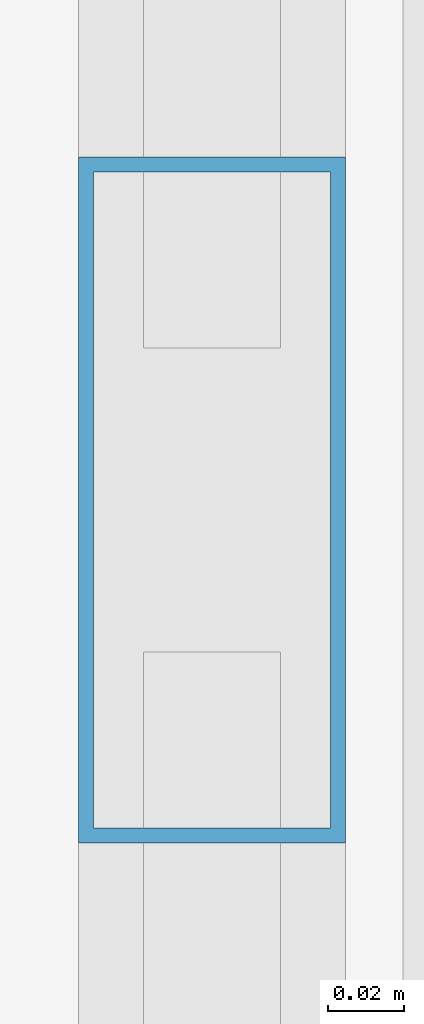
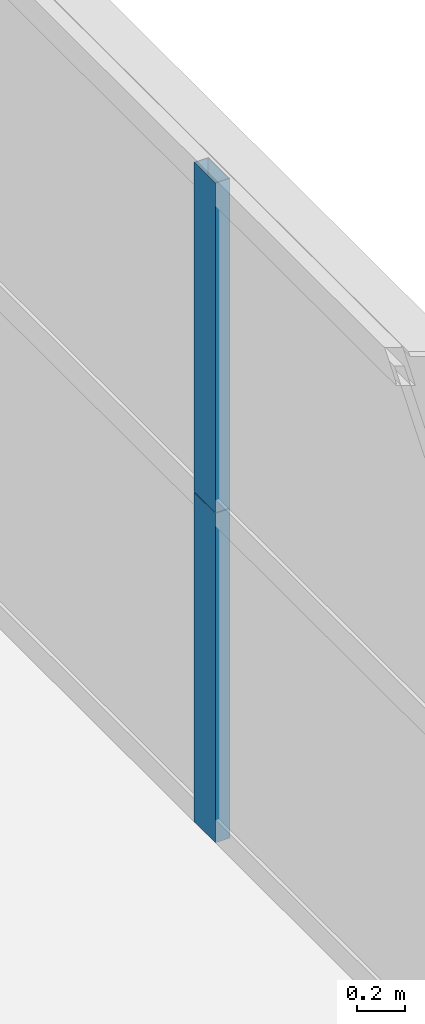
# One storey, part 21 of 43: 2 members, 1 element without a shape of its own.
"""IFC4 building model written with IfcOpenShell, lengths in metres."""

from ifc_helpers import new_model, si_unit, direction, frame, origin, origin_2d, place, context, subcontext, project, spatial, hollow_rectangle, extrude, source, transform, mapped, material, layer, layer_set, material_profile, profile_set, type_object, element, aggregate, save


model = new_model("IFC4")

# Units and contexts
model_context = context("Model", 3, precision=1e-05, world=origin(), true_north=direction((0.0, 1.0)))
body_context = subcontext(model_context, "Body", "Model", "MODEL_VIEW")
ifc_project = project(units=[si_unit("LENGTHUNIT", "METRE"), si_unit("AREAUNIT", "SQUARE_METRE"), si_unit("VOLUMEUNIT", "CUBIC_METRE"), si_unit("PLANEANGLEUNIT", "RADIAN"), si_unit("MASSUNIT", "GRAM", prefix="KILO"), si_unit("THERMODYNAMICTEMPERATUREUNIT", "KELVIN"), si_unit("POWERUNIT", "WATT")], contexts=[model_context])

# Site, building, storey
site_placement = place(None, origin())
site = spatial("IfcSite", under=ifc_project, at=site_placement, CompositionType="ELEMENT")
building_placement = place(site_placement, origin())
building = spatial("IfcBuilding", under=site, at=building_placement, Name="Yuzanri Waterfront Tower", CompositionType="ELEMENT")
storey_placement = place(building_placement, frame((0.0, 0.0, 138.0)))
storey = spatial("IfcBuildingStorey", under=building, at=storey_placement, Name="L36", CompositionType="ELEMENT", Elevation=138.0)

# Curtain wall, members
ifc_material_1 = material(Name="Anodized Architectural Bronze", Category="metal")
ifc_layer = layer(ifc_material_1, 0.159912109375)
ifc_layer_set = layer_set([ifc_layer], Name="Anodized Architectural Bronze")
curtain_wall_type = type_object("IfcCurtainWallType", Name="Anodized Bronze Hotel Upper-Tier Solar-Control Unitized Curtain Wall 7800", PredefinedType="NOTDEFINED", material=ifc_layer_set)
curtain_wall_placement = place(storey_placement, origin())
curtain_wall = element("IfcCurtainWall", 1, at=curtain_wall_placement, inside=storey, type_object=curtain_wall_type, Name="L36 Curtain Wall CW-L36-EL", PredefinedType="NOTDEFINED")
ifc_material_2 = material(Name="Anodized Architectural Bronze", Category="metal")
ifc_material_profile = material_profile(ifc_material_2, hollow_rectangle(XDim=0.070068359375, YDim=0.179931640625, WallThickness=0.00390625, at=origin_2d()), Name="CWM 70x180")
ifc_profile_set = profile_set([ifc_material_profile], Name="Anodized Architectural Bronze")
member_type = type_object("IfcMemberType", Name="Anodized Bronze Standard Curtain-Wall Mullion 70x180", PredefinedType="MULLION", material=ifc_profile_set)
shared_shape = source(origin(), body_context, "Body", "SweptSolid", [
    extrude(hollow_rectangle(XDim=0.070068359375, YDim=0.179931640625, WallThickness=0.00390625, at=origin_2d()), origin(), (0.0, 0.0, 1.0), 1.68798828125),
])
member_1_placement = place(storey_placement, frame((60.449951171875, 17.449951171875, 0.0), z_axis=(0.0, 0.0, 1.0), x_axis=(1.0, 0.0, 0.0)))
member_1 = element("IfcMember", 2, at=member_1_placement, type_object=member_type, Name="CW-L36-EL Lower Mullion 01", PredefinedType="MULLION", context=body_context, shape_type="MappedRepresentation", body=[
    mapped(shared_shape, transform((0.0, 0.0, 0.0), scale=1.0)),
])
member_2_placement = place(storey_placement, frame((60.449951171875, 17.449951171875, 1.69189453125), z_axis=(0.0, 0.0, 1.0), x_axis=(1.0, 0.0, 0.0)))
member_2 = element("IfcMember", 3, at=member_2_placement, type_object=member_type, Name="CW-L36-EL Upper Mullion 01", PredefinedType="MULLION", context=body_context, shape_type="MappedRepresentation", body=[
    mapped(shared_shape, transform((0.0, 0.0, 0.0), scale=1.0)),
])
aggregate(curtain_wall, [member_1, member_2])

save(model, "model.ifc")
